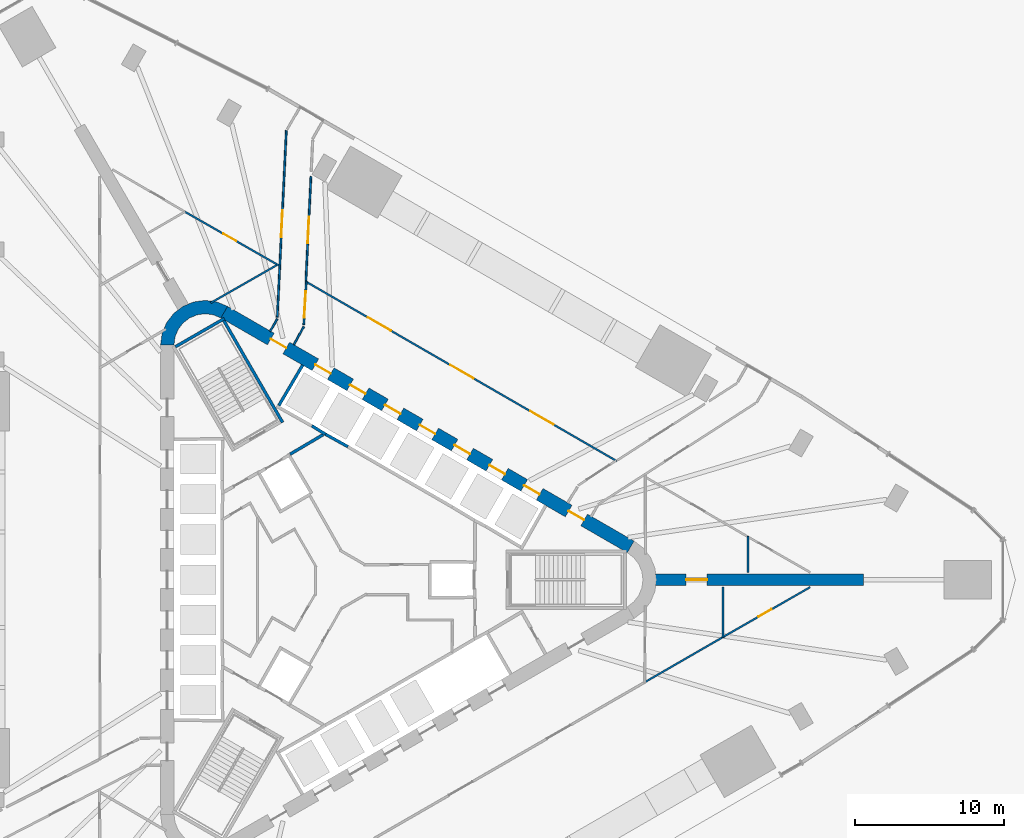
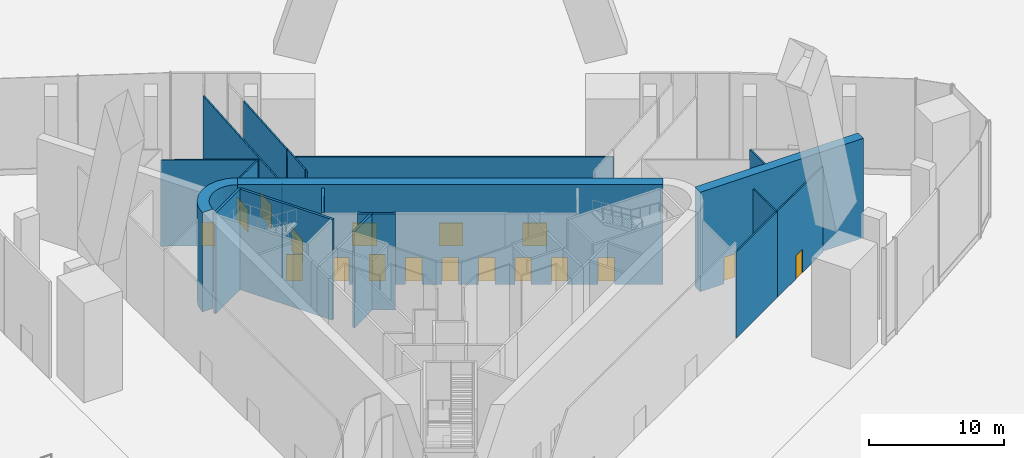
# One storey, part 17 of 22: 21 walls, 18 doors, 18 openings.
"""IFC4 building model written with IfcOpenShell, lengths in metres."""

import ifcopenshell
import ifcopenshell.guid

model = None  # the IFC model being written
_history = None  # IfcOwnerHistory: only IFC2X3 demands one
_inside = {}  # id of a spatial element -> (the spatial element, [elements in it])
_under = {}  # id of a project, library or spatial element -> (it, [spatial elements below it])
_declared = {}  # id of a project -> (the project, [libraries it declares])
_typed = {}  # id of a type object -> (the type object, [elements of that type])
_made_of = {}  # id of a material, layer set ... -> (it, [elements and type objects made of it])


def new_model(schema):
    """Start an empty IFC model of exactly this schema.

    Asked for "IFC4X3", IfcOpenShell would pick the latest addendum, in which some entities
    have other attributes; the version numbers below select the first issue.
    IFC2X3 requires an IfcOwnerHistory on every rooted entity: one is made here for all.
    """
    global model, _history
    if schema == "IFC4X3":
        model = ifcopenshell.file(schema_version=(4, 3, 0, 0))
    else:
        model = ifcopenshell.file(schema=schema)
    _inside.clear()
    _under.clear()
    _declared.clear()
    _typed.clear()
    _made_of.clear()
    _history = None
    if model.schema == "IFC2X3":
        org = make("IfcOrganization", Name="unknown")
        user = make(
            "IfcPersonAndOrganization",
            ThePerson=make("IfcPerson", FamilyName="unknown"),
            TheOrganization=org,
        )
        app = make(
            "IfcApplication",
            ApplicationDeveloper=org,
            Version="unknown",
            ApplicationFullName="unknown",
            ApplicationIdentifier="unknown",
        )
        _history = make(
            "IfcOwnerHistory",
            OwningUser=user,
            OwningApplication=app,
            ChangeAction="ADDED",
            CreationDate=0,
        )
    return model


def make(cls, **values):
    """One entity of the class cls with the attributes given. An attribute that is None is left unset."""
    return model.create_entity(
        cls, **{name: value for name, value in values.items() if value is not None}
    )


def rooted(cls, **values):
    """An entity with a GlobalId (a new one), such as an element, a storey or a relation."""
    return make(cls, GlobalId=ifcopenshell.guid.new(), OwnerHistory=_history, **values)


def si_unit(unit_type, name, prefix=None):
    """IfcSIUnit, for example si_unit("LENGTHUNIT", "METRE", prefix="MILLI")."""
    return make("IfcSIUnit", UnitType=unit_type, Prefix=prefix, Name=name)


def assignment(units):
    """IfcUnitAssignment: the units of a project."""
    return None if units is None else make("IfcUnitAssignment", Units=units)


def point(xyz):
    """IfcCartesianPoint."""
    return None if xyz is None else make("IfcCartesianPoint", Coordinates=xyz)


def direction(xyz):
    """IfcDirection."""
    return None if xyz is None else make("IfcDirection", DirectionRatios=xyz)


def frame(location, z_axis=None, x_axis=None):
    """IfcAxis2Placement3D, a coordinate frame: its origin and axes. An axis left out is left unset."""
    return make(
        "IfcAxis2Placement3D",
        Location=point(location),
        Axis=direction(z_axis),
        RefDirection=direction(x_axis),
    )


def frame_2d(location, x_axis=None):
    """IfcAxis2Placement2D, a coordinate frame in the plane: its origin and x axis."""
    return make(
        "IfcAxis2Placement2D", Location=point(location), RefDirection=direction(x_axis)
    )


def origin():
    """The frame at (0, 0, 0) with its axes left unset."""
    return frame((0.0, 0.0, 0.0))


def place(relative_to, where):
    """IfcLocalPlacement: puts the frame where relative to a parent placement (None: the world)."""
    return make(
        "IfcLocalPlacement", PlacementRelTo=relative_to, RelativePlacement=where
    )


def context(
    kind, dimensions, precision=None, world=None, true_north=None, identifier=None
):
    """IfcGeometricRepresentationContext, for example the 3D "Model" context."""
    return make(
        "IfcGeometricRepresentationContext",
        ContextIdentifier=identifier,
        ContextType=kind,
        CoordinateSpaceDimension=dimensions,
        Precision=precision,
        WorldCoordinateSystem=world,
        TrueNorth=true_north,
    )


def subcontext(parent, identifier, kind, view, scale=None):
    """IfcGeometricRepresentationSubContext, for example "Body" below "Model"."""
    return make(
        "IfcGeometricRepresentationSubContext",
        ContextIdentifier=identifier,
        ContextType=kind,
        ParentContext=parent,
        TargetScale=scale,
        TargetView=view,
    )


def project(units=None, contexts=None):
    """IfcProject with its units and contexts."""
    return rooted(
        "IfcProject",
        Name="project",
        RepresentationContexts=contexts,
        UnitsInContext=assignment(units),
    )


def spatial(cls, under=None, at=None, **own):
    """A site, building, storey or space (cls), placed at a placement, below another one or the project."""
    s = rooted(cls, ObjectPlacement=at, **own)
    if under is not None:
        _under.setdefault(under.id(), (under, []))[1].append(s)
    return s


def polyline(points):
    """IfcPolyline through the points."""
    return make("IfcPolyline", Points=[point(p) for p in points])


def profile(cls, at=None, kind="AREA", **sizes):
    """A parametric profile (cls). Its sizes go by their IFC names, for example OverallWidth=200.0."""
    return make(cls, ProfileType=kind, Position=at, **sizes)


def rectangle(**sizes):
    """IfcRectangleProfileDef."""
    return profile("IfcRectangleProfileDef", **sizes)


def outline(outer, holes=None, kind="AREA"):
    """IfcArbitraryClosedProfileDef: a profile drawn as a closed curve; with holes, ...WithVoids."""
    if holes is None:
        return make("IfcArbitraryClosedProfileDef", ProfileType=kind, OuterCurve=outer)
    return make(
        "IfcArbitraryProfileDefWithVoids",
        ProfileType=kind,
        OuterCurve=outer,
        InnerCurves=holes,
    )


def extrude(swept, where, along, depth):
    """IfcExtrudedAreaSolid: the profile swept, set in the frame where, extruded along a direction by depth."""
    return make(
        "IfcExtrudedAreaSolid",
        SweptArea=swept,
        Position=where,
        ExtrudedDirection=direction(along),
        Depth=depth,
    )


def shape(context_of_items, identifier, shape_type, items):
    """IfcShapeRepresentation: the items that make up one representation, for example the "Body"."""
    return make(
        "IfcShapeRepresentation",
        ContextOfItems=context_of_items,
        RepresentationIdentifier=identifier,
        RepresentationType=shape_type,
        Items=items,
    )


def material(Name=None, Category=None):
    """IfcMaterial."""
    return make("IfcMaterial", Name=Name, Category=Category)


def layer(
    of_material, thickness, ventilated=None, Name=None, Category=None, Priority=None
):
    """IfcMaterialLayer: one layer of a wall or slab, of a material (None: an air gap)."""
    return make(
        "IfcMaterialLayer",
        Material=of_material,
        LayerThickness=thickness,
        IsVentilated=ventilated,
        Name=Name,
        Category=Category,
        Priority=Priority,
    )


def layer_set(layers, Name=None):
    """IfcMaterialLayerSet."""
    return make("IfcMaterialLayerSet", MaterialLayers=layers, LayerSetName=Name)


def made_of(thing, what):
    """Note that an element or type object is made of a material, layer set ...; save() writes the relation."""
    if what is not None:
        _made_of.setdefault(what.id(), (what, []))[1].append(thing)
    return thing


def type_object(cls, material=None, **own):
    """A type object (cls), such as IfcWallType, which elements share."""
    return made_of(rooted(cls, **own), material)


def element(
    cls,
    number,
    at=None,
    inside=None,
    cuts=None,
    type_object=None,
    material=None,
    context=None,
    identifier="Body",
    shape_type=None,
    held_by="IfcProductDefinitionShape",
    body=None,
    shapes=None,
    **own,
):
    """One element of the class cls, such as IfcWall. Its Tag is "e" and its number.

    at: its placement. inside: the storey or other place that contains it. cuts: it is an
    opening in that element (IfcRelVoidsElement). A single representation is given by context,
    identifier, shape_type and body (its items); several are given by shapes. held_by: the class
    of the entity that holds the representations. save() writes the other relations.
    """
    e = rooted(cls, Tag="e%d" % number, ObjectPlacement=at, **own)
    if body is not None:
        shapes = [shape(context, identifier, shape_type, body)]
    if shapes is not None:
        e.Representation = make(held_by, Representations=shapes)
    if inside is not None:
        _inside.setdefault(inside.id(), (inside, []))[1].append(e)
    if cuts is not None:
        rooted(
            "IfcRelVoidsElement", RelatingBuildingElement=cuts, RelatedOpeningElement=e
        )
    if type_object is not None:
        _typed.setdefault(type_object.id(), (type_object, []))[1].append(e)
    return made_of(e, material)


def fill(opening, filler):
    """IfcRelFillsElement: the door or window that sits in an opening."""
    return rooted(
        "IfcRelFillsElement",
        RelatingOpeningElement=opening,
        RelatedBuildingElement=filler,
    )


def aggregate(whole, parts):
    """IfcRelAggregates: a whole, such as a stair, and the parts it consists of."""
    return rooted("IfcRelAggregates", RelatingObject=whole, RelatedObjects=parts)


def save(model, path):
    """Write the relations noted so far, then the file.

    IfcRelAggregates (storeys below a building ...), IfcRelContainedInSpatialStructure (elements
    in a storey), IfcRelDefinesByType, IfcRelAssociatesMaterial and IfcRelDeclares: one each for
    every whole, place, type object, material and project.
    """
    for whole, parts in _under.values():
        aggregate(whole, parts)
    for where, things in _inside.values():
        rooted(
            "IfcRelContainedInSpatialStructure",
            RelatedElements=things,
            RelatingStructure=where,
        )
    for kind, things in _typed.values():
        rooted("IfcRelDefinesByType", RelatedObjects=things, RelatingType=kind)
    for what, things in _made_of.values():
        rooted("IfcRelAssociatesMaterial", RelatedObjects=things, RelatingMaterial=what)
    for by, libraries in _declared.values():
        rooted("IfcRelDeclares", RelatingContext=by, RelatedDefinitions=libraries)
    model.write(path)


model = new_model("IFC4")

# Units and contexts
model_context = context("Model", 3, precision=1e-05, world=origin(), true_north=direction((0.0, 1.0)))
body_context = subcontext(model_context, "Body", "Model", "MODEL_VIEW")
ifc_project = project(units=[si_unit("LENGTHUNIT", "METRE"), si_unit("AREAUNIT", "SQUARE_METRE"), si_unit("VOLUMEUNIT", "CUBIC_METRE"), si_unit("PLANEANGLEUNIT", "RADIAN"), si_unit("MASSUNIT", "GRAM", prefix="KILO")], contexts=[model_context])

# Site, building, storey
site_placement = place(None, origin())
site = spatial("IfcSite", under=ifc_project, at=site_placement, CompositionType="ELEMENT")
building_placement = place(site_placement, origin())
building = spatial("IfcBuilding", under=site, at=building_placement, Name="Tanit Gate Tower", CompositionType="ELEMENT")
storey_placement = place(building_placement, origin())
storey = spatial("IfcBuildingStorey", under=building, at=storey_placement, Name="L00", CompositionType="ELEMENT", Elevation=0.0)

# Wall, opening, door
ifc_material_1 = material(Name="Concrete C60/75", Category="concrete")
ifc_layer_1 = layer(ifc_material_1, 0.800048828125)
ifc_layer_set_1 = layer_set([ifc_layer_1], Name="BUTTRESS FIN 800 C60/75")
wall_type_1 = type_object("IfcWallType", Name="BUTTRESS FIN 800 C60/75", PredefinedType="SHEAR", material=ifc_layer_set_1)
wall_1_placement = place(storey_placement, frame((21.14990234375, 0.0, 0.0), z_axis=(0.0, 0.0, 1.0), x_axis=(1.0, 0.0, 0.0)))
wall_1 = element("IfcWall", 1, at=wall_1_placement, inside=storey, type_object=wall_type_1, Name="BUTTRESS FIN", PredefinedType="SHEAR", context=body_context, shape_type="SweptSolid", body=[
    extrude(rectangle(XDim=13.9541015625, YDim=0.800048828125, at=frame_2d((6.97705078125, 0.0))), origin(), (0.0, 0.0, 1.0), 9.0),
])
opening_1_placement = place(wall_1_placement, frame((2.050048828125, 0.0, 0.0)))
opening_1 = element("IfcOpeningElement", 2, at=opening_1_placement, cuts=wall_1, Name="Opening P14-00-F-E-1", PredefinedType="OPENING", context=body_context, shape_type="SweptSolid", body=[
    extrude(rectangle(XDim=1.39990234375, YDim=2.39990234375, at=frame_2d((0.699951171875, 1.199951171875))), frame((0.0, 0.41015625, 0.0), z_axis=(0.0, -1.0, 0.0), x_axis=(1.0, 0.0, 0.0)), (0.0, 0.0, 1.0), 0.820068359375),
])
ifc_material_2 = material(Name="Timber door leaf", Category="wood")
door_type_1 = type_object("IfcDoorType", Name="INT-DOOR-FIN-PAIR-1400", OperationType="NOTDEFINED", PredefinedType="NOTDEFINED", material=ifc_material_2)
door_1_placement = place(opening_1_placement, origin())
door_1 = element("IfcDoor", 3, at=door_1_placement, inside=storey, type_object=door_type_1, Name="Door P14-00-F-E-1", OperationType="DOUBLE_DOOR_SINGLE_SWING", OverallHeight=2.39990234375, OverallWidth=1.39990234375, PredefinedType="NOTDEFINED", context=body_context, shape_type="SweptSolid", body=[
    extrude(rectangle(XDim=1.39990234375, YDim=2.39990234375, at=frame_2d((0.699951171875, 1.199951171875))), frame((0.0, 0.02490234375, 0.0), z_axis=(0.0, -1.0, 0.0), x_axis=(1.0, 0.0, 0.0)), (0.0, 0.0, 1.0), 0.050048828125),
])
fill(opening_1, door_1)

# Wall, openings, doors
ifc_material_3 = material(Name="Concrete C60/75", Category="concrete")
ifc_layer_2 = layer(ifc_material_3, 0.89990234375)
ifc_layer_set_2 = layer_set([ifc_layer_2], Name="CORE WALL 900 C60/75")
wall_type_2 = type_object("IfcWallType", Name="CORE WALL 900 C60/75", PredefinedType="SHEAR", material=ifc_layer_set_2)
wall_2_placement = place(storey_placement, frame((19.47509765625, 2.20849609375, 0.0), z_axis=(0.0, 0.0, 1.0), x_axis=(-0.866028369851, 0.499994862586, 0.0)))
wall_2 = element("IfcWall", 4, at=wall_2_placement, inside=storey, type_object=wall_type_2, Name="CORE WALL", PredefinedType="SHEAR", context=body_context, shape_type="SweptSolid", body=[
    extrude(rectangle(XDim=31.523193359375, YDim=0.89990234375, at=frame_2d((15.76171875, 0.0))), origin(), (0.0, 0.0, 1.0), 9.0),
])
opening_2_placement = place(wall_2_placement, frame((7.0615234375, 0.0, 0.0)))
opening_2 = element("IfcOpeningElement", 5, at=opening_2_placement, cuts=wall_2, Name="Opening LDLL8-00", PredefinedType="OPENING", context=body_context, shape_type="SweptSolid", body=[
    extrude(rectangle(XDim=1.199951171875, YDim=2.39990234375, at=frame_2d((0.60009765625, 1.199951171875))), frame((0.0, 0.4599609375, 0.0), z_axis=(0.0, -1.0, 0.0), x_axis=(1.0, 0.0, 0.0)), (0.0, 0.0, 1.0), 0.919921875),
])
opening_3_placement = place(wall_2_placement, frame((9.76171875, 0.0, 0.0)))
opening_3 = element("IfcOpeningElement", 6, at=opening_3_placement, cuts=wall_2, Name="Opening LDLL9-00", PredefinedType="OPENING", context=body_context, shape_type="SweptSolid", body=[
    extrude(rectangle(XDim=1.199951171875, YDim=2.39990234375, at=frame_2d((0.60009765625, 1.199951171875))), frame((0.0, 0.4599609375, 0.0), z_axis=(0.0, -1.0, 0.0), x_axis=(1.0, 0.0, 0.0)), (0.0, 0.0, 1.0), 0.919921875),
])
opening_4_placement = place(wall_2_placement, frame((12.461669921875, 0.0, 0.0)))
opening_4 = element("IfcOpeningElement", 7, at=opening_4_placement, cuts=wall_2, Name="Opening LDLL10-00", PredefinedType="OPENING", context=body_context, shape_type="SweptSolid", body=[
    extrude(rectangle(XDim=1.199951171875, YDim=2.39990234375, at=frame_2d((0.60009765625, 1.199951171875))), frame((0.0, 0.4599609375, 0.0), z_axis=(0.0, -1.0, 0.0), x_axis=(1.0, 0.0, 0.0)), (0.0, 0.0, 1.0), 0.919921875),
])
opening_5_placement = place(wall_2_placement, frame((15.16162109375, 0.0, 0.0)))
opening_5 = element("IfcOpeningElement", 8, at=opening_5_placement, cuts=wall_2, Name="Opening LDSL1-00", PredefinedType="OPENING", context=body_context, shape_type="SweptSolid", body=[
    extrude(rectangle(XDim=1.199951171875, YDim=2.39990234375, at=frame_2d((0.60009765625, 1.199951171875))), frame((0.0, 0.4599609375, 0.0), z_axis=(0.0, -1.0, 0.0), x_axis=(1.0, 0.0, 0.0)), (0.0, 0.0, 1.0), 0.919921875),
])
opening_6_placement = place(wall_2_placement, frame((17.861572265625, 0.0, 0.0)))
opening_6 = element("IfcOpeningElement", 9, at=opening_6_placement, cuts=wall_2, Name="Opening LDSL2-00", PredefinedType="OPENING", context=body_context, shape_type="SweptSolid", body=[
    extrude(rectangle(XDim=1.199951171875, YDim=2.39990234375, at=frame_2d((0.60009765625, 1.199951171875))), frame((0.0, 0.4599609375, 0.0), z_axis=(0.0, -1.0, 0.0), x_axis=(1.0, 0.0, 0.0)), (0.0, 0.0, 1.0), 0.919921875),
])
opening_7_placement = place(wall_2_placement, frame((20.5615234375, 0.0, 0.0)))
opening_7 = element("IfcOpeningElement", 10, at=opening_7_placement, cuts=wall_2, Name="Opening LDSL3-00", PredefinedType="OPENING", context=body_context, shape_type="SweptSolid", body=[
    extrude(rectangle(XDim=1.199951171875, YDim=2.39990234375, at=frame_2d((0.60009765625, 1.199951171875))), frame((0.0, 0.4599609375, 0.0), z_axis=(0.0, -1.0, 0.0), x_axis=(1.0, 0.0, 0.0)), (0.0, 0.0, 1.0), 0.919921875),
])
opening_8_placement = place(wall_2_placement, frame((23.26171875, 0.0, 0.0)))
opening_8 = element("IfcOpeningElement", 11, at=opening_8_placement, cuts=wall_2, Name="Opening LDSL4-00", PredefinedType="OPENING", context=body_context, shape_type="SweptSolid", body=[
    extrude(rectangle(XDim=1.199951171875, YDim=2.39990234375, at=frame_2d((0.60009765625, 1.199951171875))), frame((0.0, 0.4599609375, 0.0), z_axis=(0.0, -1.0, 0.0), x_axis=(1.0, 0.0, 0.0)), (0.0, 0.0, 1.0), 0.919921875),
])
opening_9_placement = place(wall_2_placement, frame((3.611572265625, 0.0, 0.0)))
opening_9 = element("IfcOpeningElement", 12, at=opening_9_placement, cuts=wall_2, Name="Opening F12-00-FL1", PredefinedType="OPENING", context=body_context, shape_type="SweptSolid", body=[
    extrude(rectangle(XDim=1.199951171875, YDim=2.39990234375, at=frame_2d((0.60009765625, 1.199951171875))), frame((0.0, 0.4599609375, 0.0), z_axis=(0.0, -1.0, 0.0), x_axis=(1.0, 0.0, 0.0)), (0.0, 0.0, 1.0), 0.919921875),
])
opening_10_placement = place(wall_2_placement, frame((26.711669921875, 0.0, 0.0)))
opening_10 = element("IfcOpeningElement", 13, at=opening_10_placement, cuts=wall_2, Name="Opening F12-00-S2", PredefinedType="OPENING", context=body_context, shape_type="SweptSolid", body=[
    extrude(rectangle(XDim=1.199951171875, YDim=2.39990234375, at=frame_2d((0.60009765625, 1.199951171875))), frame((0.0, 0.4599609375, 0.0), z_axis=(0.0, -1.0, 0.0), x_axis=(1.0, 0.0, 0.0)), (0.0, 0.0, 1.0), 0.919921875),
])
ifc_material_4 = material(Name="Fire-rated steel door leaf", Category="steel")
door_type_2 = type_object("IfcDoorType", Name="INT-DOOR-FIRE-LOBBY-1200", OperationType="NOTDEFINED", PredefinedType="USERDEFINED", material=ifc_material_4)
door_2_placement = place(opening_9_placement, origin())
door_2 = element("IfcDoor", 14, at=door_2_placement, inside=storey, type_object=door_type_2, Name="Door F12-00-FL1", ObjectType="FIRE DOOR", OperationType="SINGLE_SWING_LEFT", OverallHeight=2.39990234375, OverallWidth=1.199951171875, PredefinedType="USERDEFINED", context=body_context, shape_type="SweptSolid", body=[
    extrude(rectangle(XDim=1.199951171875, YDim=2.39990234375, at=frame_2d((0.60009765625, 1.199951171875))), frame((0.0, 0.02490234375, 0.0), z_axis=(0.0, -1.0, 0.0), x_axis=(1.0, 0.0, 0.0)), (0.0, 0.0, 1.0), 0.050048828125),
])
fill(opening_9, door_2)
door_3_placement = place(opening_10_placement, origin())
door_3 = element("IfcDoor", 15, at=door_3_placement, inside=storey, type_object=door_type_2, Name="Door F12-00-S2", ObjectType="FIRE DOOR", OperationType="SINGLE_SWING_LEFT", OverallHeight=2.39990234375, OverallWidth=1.199951171875, PredefinedType="USERDEFINED", context=body_context, shape_type="SweptSolid", body=[
    extrude(rectangle(XDim=1.199951171875, YDim=2.39990234375, at=frame_2d((0.60009765625, 1.199951171875))), frame((0.0, 0.02490234375, 0.0), z_axis=(0.0, -1.0, 0.0), x_axis=(1.0, 0.0, 0.0)), (0.0, 0.0, 1.0), 0.050048828125),
])
fill(opening_10, door_3)
ifc_material_5 = material(Name="Stainless steel sliding door leaf", Category="steel")
door_type_3 = type_object("IfcDoorType", Name="INT-DOOR-LANDING-1200", OperationType="NOTDEFINED", PredefinedType="USERDEFINED", material=ifc_material_5)
door_4_placement = place(opening_2_placement, origin())
door_4 = element("IfcDoor", 16, at=door_4_placement, inside=storey, type_object=door_type_3, Name="Door LDLL8-00", ObjectType="LANDING DOOR", OperationType="SLIDING_TO_LEFT", OverallHeight=2.39990234375, OverallWidth=1.199951171875, PredefinedType="USERDEFINED", context=body_context, shape_type="SweptSolid", body=[
    extrude(rectangle(XDim=1.199951171875, YDim=2.39990234375, at=frame_2d((0.60009765625, 1.199951171875))), frame((0.0, 0.02490234375, 0.0), z_axis=(0.0, -1.0, 0.0), x_axis=(1.0, 0.0, 0.0)), (0.0, 0.0, 1.0), 0.050048828125),
])
fill(opening_2, door_4)
door_5_placement = place(opening_3_placement, origin())
door_5 = element("IfcDoor", 17, at=door_5_placement, inside=storey, type_object=door_type_3, Name="Door LDLL9-00", ObjectType="LANDING DOOR", OperationType="SLIDING_TO_LEFT", OverallHeight=2.39990234375, OverallWidth=1.199951171875, PredefinedType="USERDEFINED", context=body_context, shape_type="SweptSolid", body=[
    extrude(rectangle(XDim=1.199951171875, YDim=2.39990234375, at=frame_2d((0.60009765625, 1.199951171875))), frame((0.0, 0.02490234375, 0.0), z_axis=(0.0, -1.0, 0.0), x_axis=(1.0, 0.0, 0.0)), (0.0, 0.0, 1.0), 0.050048828125),
])
fill(opening_3, door_5)
door_6_placement = place(opening_4_placement, origin())
door_6 = element("IfcDoor", 18, at=door_6_placement, inside=storey, type_object=door_type_3, Name="Door LDLL10-00", ObjectType="LANDING DOOR", OperationType="SLIDING_TO_LEFT", OverallHeight=2.39990234375, OverallWidth=1.199951171875, PredefinedType="USERDEFINED", context=body_context, shape_type="SweptSolid", body=[
    extrude(rectangle(XDim=1.199951171875, YDim=2.39990234375, at=frame_2d((0.60009765625, 1.199951171875))), frame((0.0, 0.02490234375, 0.0), z_axis=(0.0, -1.0, 0.0), x_axis=(1.0, 0.0, 0.0)), (0.0, 0.0, 1.0), 0.050048828125),
])
fill(opening_4, door_6)
door_7_placement = place(opening_5_placement, origin())
door_7 = element("IfcDoor", 19, at=door_7_placement, inside=storey, type_object=door_type_3, Name="Door LDSL1-00", ObjectType="LANDING DOOR", OperationType="SLIDING_TO_LEFT", OverallHeight=2.39990234375, OverallWidth=1.199951171875, PredefinedType="USERDEFINED", context=body_context, shape_type="SweptSolid", body=[
    extrude(rectangle(XDim=1.199951171875, YDim=2.39990234375, at=frame_2d((0.60009765625, 1.199951171875))), frame((0.0, 0.02490234375, 0.0), z_axis=(0.0, -1.0, 0.0), x_axis=(1.0, 0.0, 0.0)), (0.0, 0.0, 1.0), 0.050048828125),
])
fill(opening_5, door_7)
door_8_placement = place(opening_6_placement, origin())
door_8 = element("IfcDoor", 20, at=door_8_placement, inside=storey, type_object=door_type_3, Name="Door LDSL2-00", ObjectType="LANDING DOOR", OperationType="SLIDING_TO_LEFT", OverallHeight=2.39990234375, OverallWidth=1.199951171875, PredefinedType="USERDEFINED", context=body_context, shape_type="SweptSolid", body=[
    extrude(rectangle(XDim=1.199951171875, YDim=2.39990234375, at=frame_2d((0.60009765625, 1.199951171875))), frame((0.0, 0.02490234375, 0.0), z_axis=(0.0, -1.0, 0.0), x_axis=(1.0, 0.0, 0.0)), (0.0, 0.0, 1.0), 0.050048828125),
])
fill(opening_6, door_8)
door_9_placement = place(opening_7_placement, origin())
door_9 = element("IfcDoor", 21, at=door_9_placement, inside=storey, type_object=door_type_3, Name="Door LDSL3-00", ObjectType="LANDING DOOR", OperationType="SLIDING_TO_LEFT", OverallHeight=2.39990234375, OverallWidth=1.199951171875, PredefinedType="USERDEFINED", context=body_context, shape_type="SweptSolid", body=[
    extrude(rectangle(XDim=1.199951171875, YDim=2.39990234375, at=frame_2d((0.60009765625, 1.199951171875))), frame((0.0, 0.02490234375, 0.0), z_axis=(0.0, -1.0, 0.0), x_axis=(1.0, 0.0, 0.0)), (0.0, 0.0, 1.0), 0.050048828125),
])
fill(opening_7, door_9)
door_10_placement = place(opening_8_placement, origin())
door_10 = element("IfcDoor", 22, at=door_10_placement, inside=storey, type_object=door_type_3, Name="Door LDSL4-00", ObjectType="LANDING DOOR", OperationType="SLIDING_TO_LEFT", OverallHeight=2.39990234375, OverallWidth=1.199951171875, PredefinedType="USERDEFINED", context=body_context, shape_type="SweptSolid", body=[
    extrude(rectangle(XDim=1.199951171875, YDim=2.39990234375, at=frame_2d((0.60009765625, 1.199951171875))), frame((0.0, 0.02490234375, 0.0), z_axis=(0.0, -1.0, 0.0), x_axis=(1.0, 0.0, 0.0)), (0.0, 0.0, 1.0), 0.050048828125),
])
fill(opening_8, door_10)

# Walls
wall_3_placement = place(storey_placement, origin())
element("IfcWall", 23, at=wall_3_placement, inside=storey, type_object=wall_type_2, Name="CORE WALL CORNER", PredefinedType="SHEAR", context=body_context, shape_type="SweptSolid", body=[
    extrude(outline(polyline([(-7.60009765625, 18.359619140625), (-8.323486328125, 18.659423828125), (-9.10009765625, 18.76171875), (-9.87646484375, 18.659423828125), (-10.60009765625, 18.359619140625), (-11.22119140625, 17.883056640625), (-11.697998046875, 17.26171875), (-11.997802734375, 16.5380859375), (-12.10009765625, 15.76171875), (-11.199951171875, 15.76171875), (-11.12841796875, 16.30517578125), (-10.918701171875, 16.811767578125), (-10.5849609375, 17.24658203125), (-10.14990234375, 17.580322265625), (-9.6435546875, 17.7900390625), (-9.10009765625, 17.86181640625), (-8.556396484375, 17.7900390625), (-8.050048828125, 17.580322265625), (-7.60009765625, 18.359619140625)])), origin(), (0.0, 0.0, 1.0), 9.0),
])
ifc_material_6 = material(Name="Fire-rated gypsum board partition")
ifc_layer_3 = layer(ifc_material_6, 0.199951171875)
ifc_layer_set_3 = layer_set([ifc_layer_3], Name="INT-WALL-COMPARTMENT")
wall_type_3 = type_object("IfcWallType", Name="INT-WALL-COMPARTMENT", PredefinedType="PARTITIONING", material=ifc_layer_set_3)
wall_4_placement = place(storey_placement, frame((-1.1796875, 9.744384765625, 0.0), z_axis=(0.0, 0.0, 1.0), x_axis=(-0.860615607571, -0.509255118781, 0.0)))
element("IfcWall", 24, at=wall_4_placement, inside=storey, type_object=wall_type_3, Name="Wall Compartment W061", PredefinedType="PARTITIONING", context=body_context, shape_type="SweptSolid", body=[
    extrude(rectangle(XDim=2.58056640625, YDim=0.199951171875, at=frame_2d((1.290283203125, 0.0))), origin(), (0.0, 0.0, 1.0), 8.699951171875),
])
ifc_material_7 = material(Name="Gypsum board partition")
ifc_layer_4 = layer(ifc_material_7, 0.1201171875)
ifc_layer_set_4 = layer_set([ifc_layer_4], Name="INT-WALL-PARTITION")
wall_type_4 = type_object("IfcWallType", Name="INT-WALL-PARTITION", PredefinedType="PARTITIONING", material=ifc_layer_set_4)
wall_5_placement = place(storey_placement, frame((-2.482666015625, 17.00048828125, 0.0), z_axis=(0.0, 0.0, 1.0), x_axis=(-0.48088080456, -0.876785978336, 0.0)))
element("IfcWall", 25, at=wall_5_placement, inside=storey, type_object=wall_type_4, Name="Wall Partition W088", PredefinedType="PARTITIONING", context=body_context, shape_type="SweptSolid", body=[
    extrude(rectangle(XDim=1.3818359375, YDim=0.1201171875, at=frame_2d((0.69091796875, 0.0))), origin(), (0.0, 0.0, 1.0), 8.699951171875),
])

# Wall, opening, door
wall_6_placement = place(storey_placement, frame((-2.3115234375, 20.04052734375, 0.0), z_axis=(0.0, 0.0, 1.0), x_axis=(-0.058079345063, -0.998311970116, 0.0)))
wall_6 = element("IfcWall", 26, at=wall_6_placement, inside=storey, type_object=wall_type_4, Name="Wall Partition W089", PredefinedType="PARTITIONING", context=body_context, shape_type="SweptSolid", body=[
    extrude(rectangle(XDim=2.917236328125, YDim=0.1201171875, at=frame_2d((1.45849609375, 0.0))), origin(), (0.0, 0.0, 1.0), 8.699951171875),
])
opening_11_placement = place(wall_6_placement, frame((0.65478515625, 0.0, 0.0)))
opening_11 = element("IfcOpeningElement", 27, at=opening_11_placement, cuts=wall_6, Name="Opening D18-00-20", PredefinedType="OPENING", context=body_context, shape_type="SweptSolid", body=[
    extrude(rectangle(XDim=1.800048828125, YDim=2.10009765625, at=frame_2d((0.89990234375, 1.050048828125))), frame((0.0, 0.070068359375, 0.0), z_axis=(0.0, -1.0, 0.0), x_axis=(1.0, 0.0, 0.0)), (0.0, 0.0, 1.0), 0.14013671875),
])
ifc_material_8 = material(Name="Timber door leaf", Category="wood")
door_type_4 = type_object("IfcDoorType", Name="INT-DOOR-PAIR-1800", OperationType="NOTDEFINED", PredefinedType="NOTDEFINED", material=ifc_material_8)
door_11_placement = place(opening_11_placement, origin())
door_11 = element("IfcDoor", 28, at=door_11_placement, inside=storey, type_object=door_type_4, Name="Door D18-00-20", OperationType="DOUBLE_DOOR_SINGLE_SWING", OverallHeight=2.10009765625, OverallWidth=1.800048828125, PredefinedType="NOTDEFINED", context=body_context, shape_type="SweptSolid", body=[
    extrude(rectangle(XDim=1.800048828125, YDim=2.10009765625, at=frame_2d((0.89990234375, 1.050048828125))), frame((0.0, 0.02490234375, 0.0), z_axis=(0.0, -1.0, 0.0), x_axis=(1.0, 0.0, 0.0)), (0.0, 0.0, 1.0), 0.050048828125),
])
fill(opening_11, door_11)

# Wall, openings, doors
wall_7_placement = place(storey_placement, frame((18.543701171875, 7.96533203125, 0.0), z_axis=(0.0, 0.0, 1.0), x_axis=(-0.866028877706, 0.499993982943, 0.0)))
wall_7 = element("IfcWall", 29, at=wall_7_placement, inside=storey, type_object=wall_type_4, Name="Wall Partition W090", PredefinedType="PARTITIONING", context=body_context, shape_type="SweptSolid", body=[
    extrude(rectangle(XDim=24.153564453125, YDim=0.1201171875, at=frame_2d((12.07666015625, 0.0))), origin(), (0.0, 0.0, 1.0), 8.080078125),
])
opening_12_placement = place(wall_7_placement, frame((17.51708984375, 0.0, 0.0)))
opening_12 = element("IfcOpeningElement", 30, at=opening_12_placement, cuts=wall_7, Name="Opening D18-00-24", PredefinedType="OPENING", context=body_context, shape_type="SweptSolid", body=[
    extrude(rectangle(XDim=1.800048828125, YDim=2.10009765625, at=frame_2d((0.89990234375, 1.050048828125))), frame((0.0, 0.070068359375, 0.0), z_axis=(0.0, -1.0, 0.0), x_axis=(1.0, 0.0, 0.0)), (0.0, 0.0, 1.0), 0.14013671875),
])
opening_13_placement = place(wall_7_placement, frame((11.1171875, 0.0, 0.0)))
opening_13 = element("IfcOpeningElement", 31, at=opening_13_placement, cuts=wall_7, Name="Opening D18-00-25", PredefinedType="OPENING", context=body_context, shape_type="SweptSolid", body=[
    extrude(rectangle(XDim=1.800048828125, YDim=2.10009765625, at=frame_2d((0.89990234375, 1.050048828125))), frame((0.0, 0.070068359375, 0.0), z_axis=(0.0, -1.0, 0.0), x_axis=(1.0, 0.0, 0.0)), (0.0, 0.0, 1.0), 0.14013671875),
])
opening_14_placement = place(wall_7_placement, frame((4.9169921875, 0.0, 0.0)))
opening_14 = element("IfcOpeningElement", 32, at=opening_14_placement, cuts=wall_7, Name="Opening D18-00-26", PredefinedType="OPENING", context=body_context, shape_type="SweptSolid", body=[
    extrude(rectangle(XDim=1.800048828125, YDim=2.10009765625, at=frame_2d((0.89990234375, 1.050048828125))), frame((0.0, 0.070068359375, 0.0), z_axis=(0.0, -1.0, 0.0), x_axis=(1.0, 0.0, 0.0)), (0.0, 0.0, 1.0), 0.14013671875),
])
door_12_placement = place(opening_12_placement, origin())
door_12 = element("IfcDoor", 33, at=door_12_placement, inside=storey, type_object=door_type_4, Name="Door D18-00-24", OperationType="DOUBLE_DOOR_SINGLE_SWING", OverallHeight=2.10009765625, OverallWidth=1.800048828125, PredefinedType="NOTDEFINED", context=body_context, shape_type="SweptSolid", body=[
    extrude(rectangle(XDim=1.800048828125, YDim=2.10009765625, at=frame_2d((0.89990234375, 1.050048828125))), frame((0.0, 0.02490234375, 0.0), z_axis=(0.0, -1.0, 0.0), x_axis=(1.0, 0.0, 0.0)), (0.0, 0.0, 1.0), 0.050048828125),
])
fill(opening_12, door_12)
door_13_placement = place(opening_13_placement, origin())
door_13 = element("IfcDoor", 34, at=door_13_placement, inside=storey, type_object=door_type_4, Name="Door D18-00-25", OperationType="DOUBLE_DOOR_SINGLE_SWING", OverallHeight=2.10009765625, OverallWidth=1.800048828125, PredefinedType="NOTDEFINED", context=body_context, shape_type="SweptSolid", body=[
    extrude(rectangle(XDim=1.800048828125, YDim=2.10009765625, at=frame_2d((0.89990234375, 1.050048828125))), frame((0.0, 0.02490234375, 0.0), z_axis=(0.0, -1.0, 0.0), x_axis=(1.0, 0.0, 0.0)), (0.0, 0.0, 1.0), 0.050048828125),
])
fill(opening_13, door_13)
door_14_placement = place(opening_14_placement, origin())
door_14 = element("IfcDoor", 35, at=door_14_placement, inside=storey, type_object=door_type_4, Name="Door D18-00-26", OperationType="DOUBLE_DOOR_SINGLE_SWING", OverallHeight=2.10009765625, OverallWidth=1.800048828125, PredefinedType="NOTDEFINED", context=body_context, shape_type="SweptSolid", body=[
    extrude(rectangle(XDim=1.800048828125, YDim=2.10009765625, at=frame_2d((0.89990234375, 1.050048828125))), frame((0.0, 0.02490234375, 0.0), z_axis=(0.0, -1.0, 0.0), x_axis=(1.0, 0.0, 0.0)), (0.0, 0.0, 1.0), 0.050048828125),
])
fill(opening_14, door_14)

# Walls
wall_8_placement = place(storey_placement, frame((25.679931640625, -3.8798828125, 0.0), z_axis=(0.0, 0.0, 1.0), x_axis=(-0.001011267902, 0.999999488668, 0.0)))
element("IfcWall", 36, at=wall_8_placement, inside=storey, type_object=wall_type_4, Name="Wall Partition W098", PredefinedType="PARTITIONING", context=body_context, shape_type="SweptSolid", body=[
    extrude(rectangle(XDim=3.3798828125, YDim=0.1201171875, at=frame_2d((1.68994140625, 0.0))), origin(), (0.0, 0.0, 1.0), 7.780029296875),
])
wall_9_placement = place(storey_placement, frame((25.705810546875, -3.830322265625, 0.0), z_axis=(0.0, 0.0, 1.0), x_axis=(-0.866022911947, -0.500004315964, 0.0)))
element("IfcWall", 37, at=wall_9_placement, inside=storey, type_object=wall_type_4, Name="Wall Partition W099", PredefinedType="PARTITIONING", context=body_context, shape_type="SweptSolid", body=[
    extrude(rectangle(XDim=6.0732421875, YDim=0.1201171875, at=frame_2d((3.03662109375, 0.0))), origin(), (0.0, 0.0, 1.0), 7.780029296875),
])

# Wall, opening, door
wall_10_placement = place(storey_placement, frame((31.526123046875, -0.5, 0.0), z_axis=(0.0, 0.0, 1.0), x_axis=(-0.867958459522, -0.49663680144, 0.0)))
wall_10 = element("IfcWall", 38, at=wall_10_placement, inside=storey, type_object=wall_type_4, Name="Wall Partition W100", PredefinedType="PARTITIONING", context=body_context, shape_type="SweptSolid", body=[
    extrude(rectangle(XDim=6.705810546875, YDim=0.1201171875, at=frame_2d((3.35302734375, 0.0))), origin(), (0.0, 0.0, 1.0), 7.780029296875),
])
opening_15_placement = place(wall_10_placement, frame((2.9931640625, 0.0, 0.0)))
opening_15 = element("IfcOpeningElement", 39, at=opening_15_placement, cuts=wall_10, Name="Opening D10-00-34", PredefinedType="OPENING", context=body_context, shape_type="SweptSolid", body=[
    extrude(rectangle(XDim=1.0, YDim=2.10009765625, at=frame_2d((0.5, 1.050048828125))), frame((0.0, 0.070068359375, 0.0), z_axis=(0.0, -1.0, 0.0), x_axis=(1.0, 0.0, 0.0)), (0.0, 0.0, 1.0), 0.14013671875),
])
ifc_material_9 = material(Name="Timber door leaf", Category="wood")
door_type_5 = type_object("IfcDoorType", Name="INT-DOOR-SINGLE-1000", OperationType="NOTDEFINED", PredefinedType="NOTDEFINED", material=ifc_material_9)
door_15_placement = place(opening_15_placement, origin())
door_15 = element("IfcDoor", 40, at=door_15_placement, inside=storey, type_object=door_type_5, Name="Door D10-00-34", OperationType="SINGLE_SWING_RIGHT", OverallHeight=2.10009765625, OverallWidth=1.0, PredefinedType="NOTDEFINED", context=body_context, shape_type="SweptSolid", body=[
    extrude(rectangle(XDim=1.0, YDim=2.10009765625, at=frame_2d((0.5, 1.050048828125))), frame((0.0, 0.02490234375, 0.0), z_axis=(0.0, -1.0, 0.0), x_axis=(1.0, 0.0, 0.0)), (0.0, 0.0, 1.0), 0.050048828125),
])
fill(opening_15, door_15)

# Wall
wall_11_placement = place(storey_placement, frame((27.35009765625, 0.5, 0.0), z_axis=(0.0, 0.0, 1.0), x_axis=(0.001416142622, 0.99999899727, 0.0)))
element("IfcWall", 41, at=wall_11_placement, inside=storey, type_object=wall_type_4, Name="Wall Partition W101", PredefinedType="PARTITIONING", context=body_context, shape_type="SweptSolid", body=[
    extrude(rectangle(XDim=2.41357421875, YDim=0.1201171875, at=frame_2d((1.206787109375, 0.0))), origin(), (0.0, 0.0, 1.0), 8.699951171875),
])

# Wall, opening, door
wall_12_placement = place(storey_placement, frame((-10.4921875, 24.729248046875, 0.0), z_axis=(0.0, 0.0, 1.0), x_axis=(0.868099034647, -0.496391041464, 0.0)))
wall_12 = element("IfcWall", 42, at=wall_12_placement, inside=storey, type_object=wall_type_4, Name="Wall Partition W106", PredefinedType="PARTITIONING", context=body_context, shape_type="SweptSolid", body=[
    extrude(rectangle(XDim=7.2998046875, YDim=0.1201171875, at=frame_2d((3.64990234375, 0.0))), origin(), (0.0, 0.0, 1.0), 7.780029296875),
])
opening_16_placement = place(wall_12_placement, frame((3.0, 0.0, 0.0)))
opening_16 = element("IfcOpeningElement", 43, at=opening_16_placement, cuts=wall_12, Name="Opening D10-00-37", PredefinedType="OPENING", context=body_context, shape_type="SweptSolid", body=[
    extrude(rectangle(XDim=1.0, YDim=2.10009765625, at=frame_2d((0.5, 1.050048828125))), frame((0.0, 0.070068359375, 0.0), z_axis=(0.0, -1.0, 0.0), x_axis=(1.0, 0.0, 0.0)), (0.0, 0.0, 1.0), 0.14013671875),
])
door_16_placement = place(opening_16_placement, origin())
door_16 = element("IfcDoor", 44, at=door_16_placement, inside=storey, type_object=door_type_5, Name="Door D10-00-37", OperationType="SINGLE_SWING_RIGHT", OverallHeight=2.10009765625, OverallWidth=1.0, PredefinedType="NOTDEFINED", context=body_context, shape_type="SweptSolid", body=[
    extrude(rectangle(XDim=1.0, YDim=2.10009765625, at=frame_2d((0.5, 1.050048828125))), frame((0.0, 0.02490234375, 0.0), z_axis=(0.0, -1.0, 0.0), x_axis=(1.0, 0.0, 0.0)), (0.0, 0.0, 1.0), 0.050048828125),
])
fill(opening_16, door_16)

# Wall
wall_13_placement = place(storey_placement, frame((-8.736328125, 18.587646484375, 0.0), z_axis=(0.0, 0.0, 1.0), x_axis=(0.867892636673, 0.496751820539, 0.0)))
element("IfcWall", 45, at=wall_13_placement, inside=storey, type_object=wall_type_4, Name="Wall Partition W107", PredefinedType="PARTITIONING", context=body_context, shape_type="SweptSolid", body=[
    extrude(rectangle(XDim=5.10400390625, YDim=0.1201171875, at=frame_2d((2.552001953125, 0.0))), origin(), (0.0, 0.0, 1.0), 7.780029296875),
])

# Wall, opening, door
wall_14_placement = place(storey_placement, frame((-2.339111328125, 20.09130859375, 0.0), z_axis=(0.0, 0.0, 1.0), x_axis=(0.048382191757, 0.998828896018, 0.0)))
wall_14 = element("IfcWall", 46, at=wall_14_placement, inside=storey, type_object=wall_type_4, Name="Wall Partition W127", PredefinedType="PARTITIONING", context=body_context, shape_type="SweptSolid", body=[
    extrude(rectangle(XDim=6.9990234375, YDim=0.1201171875, at=frame_2d((3.49951171875, 0.0))), origin(), (0.0, 0.0, 1.0), 8.699951171875),
])
opening_17_placement = place(wall_14_placement, frame((2.4990234375, 0.0, 0.0)))
opening_17 = element("IfcOpeningElement", 47, at=opening_17_placement, cuts=wall_14, Name="Opening D18-00-19", PredefinedType="OPENING", context=body_context, shape_type="SweptSolid", body=[
    extrude(rectangle(XDim=1.800048828125, YDim=2.10009765625, at=frame_2d((0.89990234375, 1.050048828125))), frame((0.0, 0.070068359375, 0.0), z_axis=(0.0, -1.0, 0.0), x_axis=(1.0, 0.0, 0.0)), (0.0, 0.0, 1.0), 0.14013671875),
])
door_17_placement = place(opening_17_placement, origin())
door_17 = element("IfcDoor", 48, at=door_17_placement, inside=storey, type_object=door_type_4, Name="Door D18-00-19", OperationType="DOUBLE_DOOR_SINGLE_SWING", OverallHeight=2.10009765625, OverallWidth=1.800048828125, PredefinedType="NOTDEFINED", context=body_context, shape_type="SweptSolid", body=[
    extrude(rectangle(XDim=1.800048828125, YDim=2.10009765625, at=frame_2d((0.89990234375, 1.050048828125))), frame((0.0, 0.02490234375, 0.0), z_axis=(0.0, -1.0, 0.0), x_axis=(1.0, 0.0, 0.0)), (0.0, 0.0, 1.0), 0.050048828125),
])
fill(opening_17, door_17)

# Wall
wall_15_placement = place(storey_placement, frame((-4.7470703125, 16.677978515625, 0.0), z_axis=(0.0, 0.0, 1.0), x_axis=(0.500011000363, 0.866019052629, 0.0)))
element("IfcWall", 49, at=wall_15_placement, inside=storey, type_object=wall_type_4, Name="Wall Partition W128", PredefinedType="PARTITIONING", context=body_context, shape_type="SweptSolid", body=[
    extrude(rectangle(XDim=0.9765625, YDim=0.1201171875, at=frame_2d((0.48828125, 0.0))), origin(), (0.0, 0.0, 1.0), 7.8798828125),
])

# Wall, opening, door
wall_16_placement = place(storey_placement, frame((-3.653076171875, 30.1708984375, 0.0), z_axis=(0.0, 0.0, 1.0), x_axis=(-0.048366881974, -0.99882963749, 0.0)))
wall_16 = element("IfcWall", 50, at=wall_16_placement, inside=storey, type_object=wall_type_4, Name="Wall Partition W129", PredefinedType="PARTITIONING", context=body_context, shape_type="SweptSolid", body=[
    extrude(rectangle(XDim=12.54345703125, YDim=0.1201171875, at=frame_2d((6.271728515625, 0.0))), origin(), (0.0, 0.0, 1.0), 7.8798828125),
])
opening_18_placement = place(wall_16_placement, frame((5.37451171875, 0.0, 0.0)))
opening_18 = element("IfcOpeningElement", 51, at=opening_18_placement, cuts=wall_16, Name="Opening D18-00-18", PredefinedType="OPENING", context=body_context, shape_type="SweptSolid", body=[
    extrude(rectangle(XDim=1.800048828125, YDim=2.10009765625, at=frame_2d((0.89990234375, 1.050048828125))), frame((0.0, 0.070068359375, 0.0), z_axis=(0.0, -1.0, 0.0), x_axis=(1.0, 0.0, 0.0)), (0.0, 0.0, 1.0), 0.14013671875),
])
door_18_placement = place(opening_18_placement, origin())
door_18 = element("IfcDoor", 52, at=door_18_placement, inside=storey, type_object=door_type_4, Name="Door D18-00-18", OperationType="DOUBLE_DOOR_SINGLE_SWING", OverallHeight=2.10009765625, OverallWidth=1.800048828125, PredefinedType="NOTDEFINED", context=body_context, shape_type="SweptSolid", body=[
    extrude(rectangle(XDim=1.800048828125, YDim=2.10009765625, at=frame_2d((0.89990234375, 1.050048828125))), frame((0.0, 0.02490234375, 0.0), z_axis=(0.0, -1.0, 0.0), x_axis=(1.0, 0.0, 0.0)), (0.0, 0.0, 1.0), 0.050048828125),
])
fill(opening_18, door_18)

# Walls
ifc_material_10 = material(Name="Gypsum shaft wall system")
ifc_layer_5 = layer(ifc_material_10, 0.199951171875)
ifc_layer_set_5 = layer_set([ifc_layer_5], Name="INT-WALL-SHAFT")
wall_type_5 = type_object("IfcWallType", Name="INT-WALL-SHAFT", PredefinedType="PLUMBINGWALL", material=ifc_layer_set_5)
wall_17_placement = place(storey_placement, frame((-1.940673828125, 10.338623046875, 0.0), z_axis=(0.0, 0.0, 1.0), x_axis=(0.850216889117, -0.526432561171, 0.0)))
element("IfcWall", 53, at=wall_17_placement, inside=storey, type_object=wall_type_5, Name="Wall Shaft W019", PredefinedType="PLUMBINGWALL", context=body_context, shape_type="SweptSolid", body=[
    extrude(rectangle(XDim=1.078369140625, YDim=0.199951171875, at=frame_2d((0.5390625, 0.0))), origin(), (0.0, 0.0, 1.0), 8.699951171875),
])
wall_18_placement = place(storey_placement, frame((0.482666015625, 8.935791015625, 0.0), z_axis=(0.0, 0.0, 1.0), x_axis=(-0.874269620932, 0.485440655401, 0.0)))
element("IfcWall", 54, at=wall_18_placement, inside=storey, type_object=wall_type_5, Name="Wall Shaft W020", PredefinedType="PLUMBINGWALL", context=body_context, shape_type="SweptSolid", body=[
    extrude(rectangle(XDim=1.8447265625, YDim=0.199951171875, at=frame_2d((0.92236328125, 0.0))), origin(), (0.0, 0.0, 1.0), 8.699951171875),
])
wall_19_placement = place(storey_placement, frame((-4.158203125, 11.696044921875, 0.0), z_axis=(0.0, 0.0, 1.0), x_axis=(0.508018930956, 0.861345903683, 0.0)))
element("IfcWall", 55, at=wall_19_placement, inside=storey, type_object=wall_type_5, Name="Wall Shaft W022", PredefinedType="PLUMBINGWALL", context=body_context, shape_type="SweptSolid", body=[
    extrude(rectangle(XDim=3.150146484375, YDim=0.199951171875, at=frame_2d((1.5751953125, 0.0))), origin(), (0.0, 0.0, 1.0), 8.699951171875),
])
ifc_material_11 = material(Name="Concrete C40/50", Category="concrete")
ifc_layer_6 = layer(ifc_material_11, 0.199951171875)
ifc_layer_set_6 = layer_set([ifc_layer_6], Name="INT-WALL-STAIR")
wall_type_6 = type_object("IfcWallType", Name="INT-WALL-STAIR", PredefinedType="SHEAR", material=ifc_layer_set_6)
wall_20_placement = place(storey_placement, frame((-7.81787109375, 17.541015625, -0.39990234375), z_axis=(0.0, 0.0, 1.0), x_axis=(-0.866044365799, -0.499967155389, 0.0)))
element("IfcWall", 56, at=wall_20_placement, inside=storey, type_object=wall_type_6, Name="Wall Stair W042", PredefinedType="SHEAR", context=body_context, shape_type="SweptSolid", body=[
    extrude(rectangle(XDim=3.800048828125, YDim=0.199951171875, at=frame_2d((1.89990234375, 0.0))), origin(), (0.0, 0.0, 1.0), 9.099853515625),
])
wall_21_placement = place(storey_placement, frame((-7.8544921875, 17.404541015625, -0.39990234375), z_axis=(0.0, 0.0, 1.0), x_axis=(0.499997992926, -0.866026562566, 0.0)))
element("IfcWall", 57, at=wall_21_placement, inside=storey, type_object=wall_type_6, Name="Wall Stair W043", PredefinedType="SHEAR", context=body_context, shape_type="SweptSolid", body=[
    extrude(rectangle(XDim=7.89990234375, YDim=0.199951171875, at=frame_2d((3.949951171875, 0.0))), origin(), (0.0, 0.0, 1.0), 9.099853515625),
])

save(model, "model.ifc")
